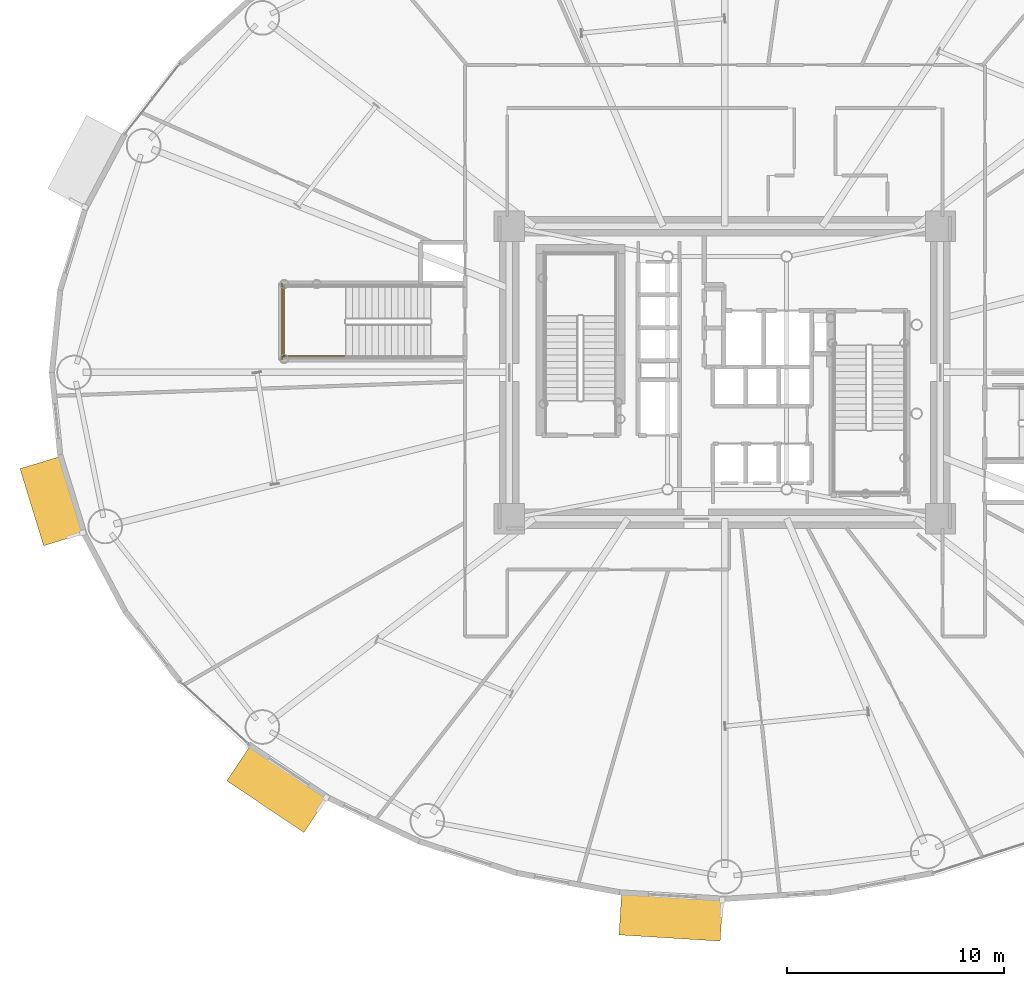
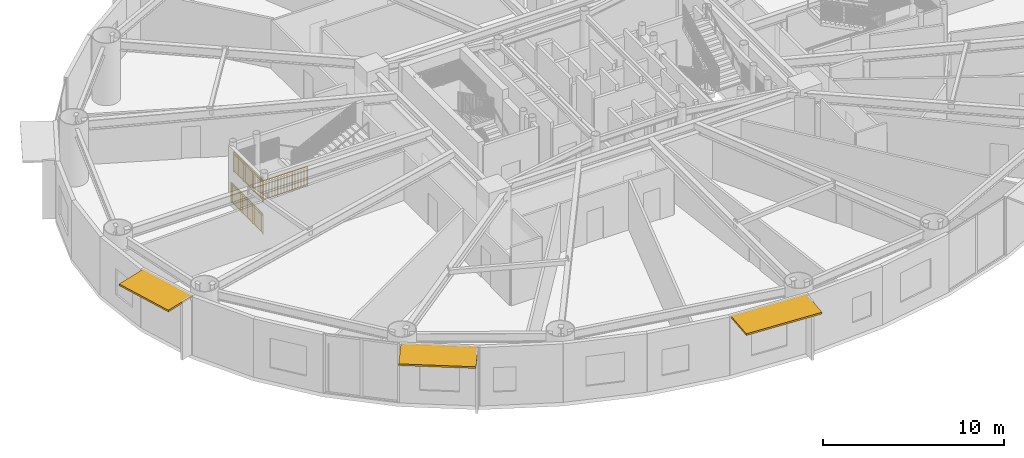
# One storey, part 21 of 32: 3 railings, 3 shading devices.
"""IFC4 building model written with IfcOpenShell, lengths in metres."""

from ifc_helpers import new_model, si_unit, direction, frame, origin, origin_2d, place, context, subcontext, project, spatial, rectangle, extrude, source, transform, mapped, material, layer, layer_set, type_object, element, save


model = new_model("IFC4")

# Units and contexts
model_context = context("Model", 3, precision=1e-05, world=origin(), true_north=direction((0.0, 1.0)))
body_context = subcontext(model_context, "Body", "Model", "MODEL_VIEW")
ifc_project = project(units=[si_unit("LENGTHUNIT", "METRE"), si_unit("AREAUNIT", "SQUARE_METRE"), si_unit("VOLUMEUNIT", "CUBIC_METRE"), si_unit("PLANEANGLEUNIT", "RADIAN"), si_unit("MASSUNIT", "GRAM", prefix="KILO")], contexts=[model_context])

# Site, building, storey
site_placement = place(None, origin())
site = spatial("IfcSite", under=ifc_project, at=site_placement, CompositionType="ELEMENT")
building_placement = place(site_placement, origin())
building = spatial("IfcBuilding", under=site, at=building_placement, Name="Linh Dai School and Residence Tower", CompositionType="ELEMENT")
storey_placement = place(building_placement, frame((0.0, 0.0, 53.39990234375)))
storey = spatial("IfcBuildingStorey", under=building, at=storey_placement, Name="L12", CompositionType="ELEMENT", Elevation=53.39990234375)

# Shading devices
ifc_material_1 = material(Name="Terracotta Ceramic Sunshade", Category="masonry")
ifc_layer = layer(ifc_material_1, 0.1201171875)
ifc_layer_set = layer_set([ifc_layer], Name="Terracotta Ceramic Sunshade")
shading_device_type = type_object("IfcShadingDeviceType", Name="SHD-TC-2000", PredefinedType="USERDEFINED", material=ifc_layer_set)
shared_shape_1 = source(origin(), body_context, "Body", "SweptSolid", [
    extrude(rectangle(XDim=3.7197265625, YDim=2.0, at=origin_2d()), origin(), (0.0, 0.0, 1.0), 0.1201171875),
])
shading_device_1_placement = place(storey_placement, frame((4.956787109375, 21.0693359375, 3.81005859375), z_axis=(0.0, 0.0, 1.0), x_axis=(-0.293145733514, 0.956067769001, 0.0)))
element("IfcShadingDevice", 1, at=shading_device_1_placement, inside=storey, type_object=shading_device_type, Name="L12 Terracotta Horizontal Sunshade Band 22", ObjectType="SUNSHADE", PredefinedType="USERDEFINED", context=body_context, shape_type="MappedRepresentation", body=[
    mapped(shared_shape_1, transform((0.0, 0.0, 0.0), x_axis=(1.0, 0.0, 0.0), y_axis=(0.0, 1.0, 0.0), z_axis=(0.0, 0.0, 1.0), scale=1.0)),
])
shared_shape_2 = source(origin(), body_context, "Body", "SweptSolid", [
    extrude(rectangle(XDim=4.28173828125, YDim=2.0, at=origin_2d()), origin(), (0.0, 0.0, 1.0), 0.1201171875),
])
shading_device_2_placement = place(storey_placement, frame((15.33544921875, 7.7861328125, 3.81005859375), z_axis=(0.0, 0.0, 1.0), x_axis=(-0.831250578927, 0.555897899828, 0.0)))
element("IfcShadingDevice", 2, at=shading_device_2_placement, inside=storey, type_object=shading_device_type, Name="L12 Terracotta Horizontal Sunshade Band 26", ObjectType="SUNSHADE", PredefinedType="USERDEFINED", context=body_context, shape_type="MappedRepresentation", body=[
    mapped(shared_shape_2, transform((0.0, 0.0, 0.0), x_axis=(1.0, 0.0, 0.0), y_axis=(0.0, 1.0, 0.0), z_axis=(0.0, 0.0, 1.0), scale=1.0)),
])
shared_shape_3 = source(origin(), body_context, "Body", "SweptSolid", [
    extrude(rectangle(XDim=4.6796875, YDim=2.0, at=origin_2d()), origin(), (0.0, 0.0, 1.0), 0.1201171875),
])
shading_device_3_placement = place(storey_placement, frame((33.50830078125, 1.88671875, 3.81005859375), z_axis=(0.0, 0.0, 1.0), x_axis=(-0.998106677027, 0.061506595367, 0.0)))
element("IfcShadingDevice", 3, at=shading_device_3_placement, inside=storey, type_object=shading_device_type, Name="L12 Terracotta Horizontal Sunshade Band 30", ObjectType="SUNSHADE", PredefinedType="USERDEFINED", context=body_context, shape_type="MappedRepresentation", body=[
    mapped(shared_shape_3, transform((0.0, 0.0, 0.0), x_axis=(1.0, 0.0, 0.0), y_axis=(0.0, 1.0, 0.0), z_axis=(0.0, 0.0, 1.0), scale=1.0)),
])

# Railings
ifc_material_2 = material(Name="Structural Steel S355JR", Category="steel")
railing_type = type_object("IfcRailingType", Name="RL-ST-GUARD-1400", PredefinedType="GUARDRAIL", material=ifc_material_2)
shared_shape_4 = source(origin(), body_context, "Body", "SweptSolid", [
    extrude(rectangle(XDim=0.048095703125, YDim=0.048095703125, at=origin_2d()), frame((0.0, 0.0, 1.3759765625), z_axis=(0.0, -1.0, 0.0), x_axis=(1.0, 0.0, 0.0)), (0.0, 0.0, 1.0), 3.300048828125),
    extrude(rectangle(XDim=0.048095703125, YDim=0.048095703125, at=origin_2d()), frame((0.0, 0.0, 0.10009765625), z_axis=(0.0, -1.0, 0.0), x_axis=(1.0, 0.0, 0.0)), (0.0, 0.0, 1.0), 3.300048828125),
    extrude(rectangle(XDim=0.030029296875, YDim=0.030029296875, at=origin_2d()), frame((0.0, 0.0, 1.239990234375), z_axis=(0.0, -1.0, 0.0), x_axis=(1.0, 0.0, 0.0)), (0.0, 0.0, 1.0), 3.300048828125),
    extrude(rectangle(XDim=0.02001953125, YDim=0.02001953125, at=origin_2d()), frame((0.0, -0.09716796875, 0.10009765625)), (0.0, 0.0, 1.0), 1.251708984375),
    extrude(rectangle(XDim=0.02001953125, YDim=0.02001953125, at=origin_2d()), frame((0.0, -0.194091796875, 0.10009765625)), (0.0, 0.0, 1.0), 1.251708984375),
    extrude(rectangle(XDim=0.02001953125, YDim=0.02001953125, at=origin_2d()), frame((0.0, -0.291259765625, 0.10009765625)), (0.0, 0.0, 1.0), 1.251708984375),
    extrude(rectangle(XDim=0.02001953125, YDim=0.02001953125, at=origin_2d()), frame((0.0, -0.38818359375, 0.10009765625)), (0.0, 0.0, 1.0), 1.251708984375),
    extrude(rectangle(XDim=0.02001953125, YDim=0.02001953125, at=origin_2d()), frame((0.0, -0.4853515625, 0.10009765625)), (0.0, 0.0, 1.0), 1.251708984375),
    extrude(rectangle(XDim=0.02001953125, YDim=0.02001953125, at=origin_2d()), frame((0.0, -0.582275390625, 0.10009765625)), (0.0, 0.0, 1.0), 1.251708984375),
    extrude(rectangle(XDim=0.02001953125, YDim=0.02001953125, at=origin_2d()), frame((0.0, -0.679443359375, 0.10009765625)), (0.0, 0.0, 1.0), 1.251708984375),
    extrude(rectangle(XDim=0.02001953125, YDim=0.02001953125, at=origin_2d()), frame((0.0, -0.7763671875, 0.10009765625)), (0.0, 0.0, 1.0), 1.251708984375),
    extrude(rectangle(XDim=0.02001953125, YDim=0.02001953125, at=origin_2d()), frame((0.0, -0.87353515625, 0.10009765625)), (0.0, 0.0, 1.0), 1.251708984375),
    extrude(rectangle(XDim=0.02001953125, YDim=0.02001953125, at=origin_2d()), frame((0.0, -0.970703125, 0.10009765625)), (0.0, 0.0, 1.0), 1.251708984375),
    extrude(rectangle(XDim=0.02001953125, YDim=0.02001953125, at=origin_2d()), frame((0.0, -1.164794921875, 0.10009765625)), (0.0, 0.0, 1.0), 1.251708984375),
    extrude(rectangle(XDim=0.02001953125, YDim=0.02001953125, at=origin_2d()), frame((0.0, -1.26171875, 0.10009765625)), (0.0, 0.0, 1.0), 1.251708984375),
    extrude(rectangle(XDim=0.02001953125, YDim=0.02001953125, at=origin_2d()), frame((0.0, -1.35888671875, 0.10009765625)), (0.0, 0.0, 1.0), 1.251708984375),
    extrude(rectangle(XDim=0.02001953125, YDim=0.02001953125, at=origin_2d()), frame((0.0, -1.455810546875, 0.10009765625)), (0.0, 0.0, 1.0), 1.251708984375),
    extrude(rectangle(XDim=0.02001953125, YDim=0.02001953125, at=origin_2d()), frame((0.0, -1.552978515625, 0.10009765625)), (0.0, 0.0, 1.0), 1.251708984375),
    extrude(rectangle(XDim=0.02001953125, YDim=0.02001953125, at=origin_2d()), frame((0.0, -1.64990234375, 0.10009765625)), (0.0, 0.0, 1.0), 1.251708984375),
    extrude(rectangle(XDim=0.02001953125, YDim=0.02001953125, at=origin_2d()), frame((0.0, -1.7470703125, 0.10009765625)), (0.0, 0.0, 1.0), 1.251708984375),
    extrude(rectangle(XDim=0.02001953125, YDim=0.02001953125, at=origin_2d()), frame((0.0, -1.84423828125, 0.10009765625)), (0.0, 0.0, 1.0), 1.251708984375),
    extrude(rectangle(XDim=0.02001953125, YDim=0.02001953125, at=origin_2d()), frame((0.0, -1.941162109375, 0.10009765625)), (0.0, 0.0, 1.0), 1.251708984375),
    extrude(rectangle(XDim=0.02001953125, YDim=0.02001953125, at=origin_2d()), frame((0.0, -2.038330078125, 0.10009765625)), (0.0, 0.0, 1.0), 1.251708984375),
    extrude(rectangle(XDim=0.02001953125, YDim=0.02001953125, at=origin_2d()), frame((0.0, -2.13525390625, 0.10009765625)), (0.0, 0.0, 1.0), 1.251708984375),
    extrude(rectangle(XDim=0.02001953125, YDim=0.02001953125, at=origin_2d()), frame((0.0, -2.329345703125, 0.10009765625)), (0.0, 0.0, 1.0), 1.251708984375),
    extrude(rectangle(XDim=0.02001953125, YDim=0.02001953125, at=origin_2d()), frame((0.0, -2.426513671875, 0.10009765625)), (0.0, 0.0, 1.0), 1.251708984375),
    extrude(rectangle(XDim=0.02001953125, YDim=0.02001953125, at=origin_2d()), frame((0.0, -2.523681640625, 0.10009765625)), (0.0, 0.0, 1.0), 1.251708984375),
    extrude(rectangle(XDim=0.02001953125, YDim=0.02001953125, at=origin_2d()), frame((0.0, -2.62060546875, 0.10009765625)), (0.0, 0.0, 1.0), 1.251708984375),
    extrude(rectangle(XDim=0.02001953125, YDim=0.02001953125, at=origin_2d()), frame((0.0, -2.7177734375, 0.10009765625)), (0.0, 0.0, 1.0), 1.251708984375),
    extrude(rectangle(XDim=0.02001953125, YDim=0.02001953125, at=origin_2d()), frame((0.0, -2.814697265625, 0.10009765625)), (0.0, 0.0, 1.0), 1.251708984375),
    extrude(rectangle(XDim=0.02001953125, YDim=0.02001953125, at=origin_2d()), frame((0.0, -2.911865234375, 0.10009765625)), (0.0, 0.0, 1.0), 1.251708984375),
    extrude(rectangle(XDim=0.02001953125, YDim=0.02001953125, at=origin_2d()), frame((0.0, -3.0087890625, 0.10009765625)), (0.0, 0.0, 1.0), 1.251708984375),
    extrude(rectangle(XDim=0.02001953125, YDim=0.02001953125, at=origin_2d()), frame((0.0, -3.10595703125, 0.10009765625)), (0.0, 0.0, 1.0), 1.251708984375),
    extrude(rectangle(XDim=0.02001953125, YDim=0.02001953125, at=origin_2d()), frame((0.0, -3.202880859375, 0.10009765625)), (0.0, 0.0, 1.0), 1.251708984375),
    extrude(rectangle(XDim=0.0419921875, YDim=0.0419921875, at=origin_2d()), origin(), (0.0, 0.0, 1.0), 1.3759765625),
    extrude(rectangle(XDim=0.0419921875, YDim=0.0419921875, at=origin_2d()), frame((0.0, -1.10009765625, 0.0)), (0.0, 0.0, 1.0), 1.3759765625),
    extrude(rectangle(XDim=0.0419921875, YDim=0.0419921875, at=origin_2d()), frame((0.0, -2.199951171875, 0.0)), (0.0, 0.0, 1.0), 1.3759765625),
    extrude(rectangle(XDim=0.0419921875, YDim=0.0419921875, at=origin_2d()), frame((0.0, -3.300048828125, 0.0)), (0.0, 0.0, 1.0), 1.3759765625),
])
railing_1_placement = place(storey_placement, frame((15.64990234375, 31.0, 2.10009765625)))
element("IfcRailing", 4, at=railing_1_placement, inside=storey, type_object=railing_type, Name="L12 STS1 stair guard 5", PredefinedType="GUARDRAIL", context=body_context, shape_type="MappedRepresentation", body=[
    mapped(shared_shape_4, transform((0.0, 0.0, 0.0), x_axis=(1.0, 0.0, 0.0), y_axis=(0.0, 1.0, 0.0), z_axis=(0.0, 0.0, 1.0), scale=1.0)),
])
shared_shape_5 = source(origin(), body_context, "Body", "SweptSolid", [
    extrude(rectangle(XDim=0.048095703125, YDim=0.048095703125, at=origin_2d()), frame((0.0, 0.0, 1.3759765625), z_axis=(-1.0, 0.0, 0.0), x_axis=(0.0, -1.0, 0.0)), (0.0, 0.0, 1.0), 2.89990234375),
    extrude(rectangle(XDim=0.048095703125, YDim=0.048095703125, at=origin_2d()), frame((0.0, 0.0, 0.10009765625), z_axis=(-1.0, 0.0, 0.0), x_axis=(0.0, -1.0, 0.0)), (0.0, 0.0, 1.0), 2.89990234375),
    extrude(rectangle(XDim=0.030029296875, YDim=0.030029296875, at=origin_2d()), frame((0.0, 0.0, 1.239990234375), z_axis=(-1.0, 0.0, 0.0), x_axis=(0.0, -1.0, 0.0)), (0.0, 0.0, 1.0), 2.89990234375),
    extrude(rectangle(XDim=0.02001953125, YDim=0.02001953125, at=origin_2d()), frame((-0.0966796875, 0.0, 0.10009765625)), (0.0, 0.0, 1.0), 1.251708984375),
    extrude(rectangle(XDim=0.02001953125, YDim=0.02001953125, at=origin_2d()), frame((-0.193359375, 0.0, 0.10009765625)), (0.0, 0.0, 1.0), 1.251708984375),
    extrude(rectangle(XDim=0.02001953125, YDim=0.02001953125, at=origin_2d()), frame((-0.2900390625, 0.0, 0.10009765625)), (0.0, 0.0, 1.0), 1.251708984375),
    extrude(rectangle(XDim=0.02001953125, YDim=0.02001953125, at=origin_2d()), frame((-0.38671875, 0.0, 0.10009765625)), (0.0, 0.0, 1.0), 1.251708984375),
    extrude(rectangle(XDim=0.02001953125, YDim=0.02001953125, at=origin_2d()), frame((-0.4833984375, 0.0, 0.10009765625)), (0.0, 0.0, 1.0), 1.251708984375),
    extrude(rectangle(XDim=0.02001953125, YDim=0.02001953125, at=origin_2d()), frame((-0.580078125, 0.0, 0.10009765625)), (0.0, 0.0, 1.0), 1.251708984375),
    extrude(rectangle(XDim=0.02001953125, YDim=0.02001953125, at=origin_2d()), frame((-0.6767578125, 0.0, 0.10009765625)), (0.0, 0.0, 1.0), 1.251708984375),
    extrude(rectangle(XDim=0.02001953125, YDim=0.02001953125, at=origin_2d()), frame((-0.773193359375, 0.0, 0.10009765625)), (0.0, 0.0, 1.0), 1.251708984375),
    extrude(rectangle(XDim=0.02001953125, YDim=0.02001953125, at=origin_2d()), frame((-0.869873046875, 0.0, 0.10009765625)), (0.0, 0.0, 1.0), 1.251708984375),
    extrude(rectangle(XDim=0.02001953125, YDim=0.02001953125, at=origin_2d()), frame((-1.063232421875, 0.0, 0.10009765625)), (0.0, 0.0, 1.0), 1.251708984375),
    extrude(rectangle(XDim=0.02001953125, YDim=0.02001953125, at=origin_2d()), frame((-1.159912109375, 0.0, 0.10009765625)), (0.0, 0.0, 1.0), 1.251708984375),
    extrude(rectangle(XDim=0.02001953125, YDim=0.02001953125, at=origin_2d()), frame((-1.256591796875, 0.0, 0.10009765625)), (0.0, 0.0, 1.0), 1.251708984375),
    extrude(rectangle(XDim=0.02001953125, YDim=0.02001953125, at=origin_2d()), frame((-1.353271484375, 0.0, 0.10009765625)), (0.0, 0.0, 1.0), 1.251708984375),
    extrude(rectangle(XDim=0.02001953125, YDim=0.02001953125, at=origin_2d()), frame((-1.449951171875, 0.0, 0.10009765625)), (0.0, 0.0, 1.0), 1.251708984375),
    extrude(rectangle(XDim=0.02001953125, YDim=0.02001953125, at=origin_2d()), frame((-1.546630859375, 0.0, 0.10009765625)), (0.0, 0.0, 1.0), 1.251708984375),
    extrude(rectangle(XDim=0.02001953125, YDim=0.02001953125, at=origin_2d()), frame((-1.643310546875, 0.0, 0.10009765625)), (0.0, 0.0, 1.0), 1.251708984375),
    extrude(rectangle(XDim=0.02001953125, YDim=0.02001953125, at=origin_2d()), frame((-1.739990234375, 0.0, 0.10009765625)), (0.0, 0.0, 1.0), 1.251708984375),
    extrude(rectangle(XDim=0.02001953125, YDim=0.02001953125, at=origin_2d()), frame((-1.836669921875, 0.0, 0.10009765625)), (0.0, 0.0, 1.0), 1.251708984375),
    extrude(rectangle(XDim=0.02001953125, YDim=0.02001953125, at=origin_2d()), frame((-2.030029296875, 0.0, 0.10009765625)), (0.0, 0.0, 1.0), 1.251708984375),
    extrude(rectangle(XDim=0.02001953125, YDim=0.02001953125, at=origin_2d()), frame((-2.126708984375, 0.0, 0.10009765625)), (0.0, 0.0, 1.0), 1.251708984375),
    extrude(rectangle(XDim=0.02001953125, YDim=0.02001953125, at=origin_2d()), frame((-2.22314453125, 0.0, 0.10009765625)), (0.0, 0.0, 1.0), 1.251708984375),
    extrude(rectangle(XDim=0.02001953125, YDim=0.02001953125, at=origin_2d()), frame((-2.31982421875, 0.0, 0.10009765625)), (0.0, 0.0, 1.0), 1.251708984375),
    extrude(rectangle(XDim=0.02001953125, YDim=0.02001953125, at=origin_2d()), frame((-2.41650390625, 0.0, 0.10009765625)), (0.0, 0.0, 1.0), 1.251708984375),
    extrude(rectangle(XDim=0.02001953125, YDim=0.02001953125, at=origin_2d()), frame((-2.51318359375, 0.0, 0.10009765625)), (0.0, 0.0, 1.0), 1.251708984375),
    extrude(rectangle(XDim=0.02001953125, YDim=0.02001953125, at=origin_2d()), frame((-2.60986328125, 0.0, 0.10009765625)), (0.0, 0.0, 1.0), 1.251708984375),
    extrude(rectangle(XDim=0.02001953125, YDim=0.02001953125, at=origin_2d()), frame((-2.70654296875, 0.0, 0.10009765625)), (0.0, 0.0, 1.0), 1.251708984375),
    extrude(rectangle(XDim=0.02001953125, YDim=0.02001953125, at=origin_2d()), frame((-2.80322265625, 0.0, 0.10009765625)), (0.0, 0.0, 1.0), 1.251708984375),
    extrude(rectangle(XDim=0.0419921875, YDim=0.0419921875, at=origin_2d()), origin(), (0.0, 0.0, 1.0), 1.3759765625),
    extrude(rectangle(XDim=0.0419921875, YDim=0.0419921875, at=origin_2d()), frame((-0.966552734375, 0.0, 0.0)), (0.0, 0.0, 1.0), 1.3759765625),
    extrude(rectangle(XDim=0.0419921875, YDim=0.0419921875, at=origin_2d()), frame((-1.933349609375, 0.0, 0.0)), (0.0, 0.0, 1.0), 1.3759765625),
    extrude(rectangle(XDim=0.0419921875, YDim=0.0419921875, at=origin_2d()), frame((-2.89990234375, 0.0, 0.0)), (0.0, 0.0, 1.0), 1.3759765625),
])
railing_2_placement = place(storey_placement, frame((18.5, 27.75, 2.10009765625)))
element("IfcRailing", 5, at=railing_2_placement, inside=storey, type_object=railing_type, Name="L12 STS1 stair guard 4", PredefinedType="GUARDRAIL", context=body_context, shape_type="MappedRepresentation", body=[
    mapped(shared_shape_5, transform((0.0, 0.0, 0.0), x_axis=(1.0, 0.0, 0.0), y_axis=(0.0, 1.0, 0.0), z_axis=(0.0, 0.0, 1.0), scale=1.0)),
])
shared_shape_6 = source(origin(), body_context, "Body", "SweptSolid", [
    extrude(rectangle(XDim=0.048095703125, YDim=0.048095703125, at=origin_2d()), frame((0.0, 0.0, 1.3759765625), z_axis=(0.0, -1.0, 0.0), x_axis=(1.0, 0.0, 0.0)), (0.0, 0.0, 1.0), 3.5),
    extrude(rectangle(XDim=0.048095703125, YDim=0.048095703125, at=origin_2d()), frame((0.0, 0.0, 0.10009765625), z_axis=(0.0, -1.0, 0.0), x_axis=(1.0, 0.0, 0.0)), (0.0, 0.0, 1.0), 3.5),
    extrude(rectangle(XDim=0.030029296875, YDim=0.030029296875, at=origin_2d()), frame((0.0, 0.0, 1.239990234375), z_axis=(0.0, -1.0, 0.0), x_axis=(1.0, 0.0, 0.0)), (0.0, 0.0, 1.0), 3.5),
    extrude(rectangle(XDim=0.02001953125, YDim=0.02001953125, at=origin_2d()), frame((0.0, -0.09716796875, 0.10009765625)), (0.0, 0.0, 1.0), 1.251708984375),
    extrude(rectangle(XDim=0.02001953125, YDim=0.02001953125, at=origin_2d()), frame((0.0, -0.1943359375, 0.10009765625)), (0.0, 0.0, 1.0), 1.251708984375),
    extrude(rectangle(XDim=0.02001953125, YDim=0.02001953125, at=origin_2d()), frame((0.0, -0.291748046875, 0.10009765625)), (0.0, 0.0, 1.0), 1.251708984375),
    extrude(rectangle(XDim=0.02001953125, YDim=0.02001953125, at=origin_2d()), frame((0.0, -0.388916015625, 0.10009765625)), (0.0, 0.0, 1.0), 1.251708984375),
    extrude(rectangle(XDim=0.02001953125, YDim=0.02001953125, at=origin_2d()), frame((0.0, -0.486083984375, 0.10009765625)), (0.0, 0.0, 1.0), 1.251708984375),
    extrude(rectangle(XDim=0.02001953125, YDim=0.02001953125, at=origin_2d()), frame((0.0, -0.583251953125, 0.10009765625)), (0.0, 0.0, 1.0), 1.251708984375),
    extrude(rectangle(XDim=0.02001953125, YDim=0.02001953125, at=origin_2d()), frame((0.0, -0.6806640625, 0.10009765625)), (0.0, 0.0, 1.0), 1.251708984375),
    extrude(rectangle(XDim=0.02001953125, YDim=0.02001953125, at=origin_2d()), frame((0.0, -0.77783203125, 0.10009765625)), (0.0, 0.0, 1.0), 1.251708984375),
    extrude(rectangle(XDim=0.02001953125, YDim=0.02001953125, at=origin_2d()), frame((0.0, -0.875, 0.10009765625)), (0.0, 0.0, 1.0), 1.251708984375),
    extrude(rectangle(XDim=0.02001953125, YDim=0.02001953125, at=origin_2d()), frame((0.0, -0.97216796875, 0.10009765625)), (0.0, 0.0, 1.0), 1.251708984375),
    extrude(rectangle(XDim=0.02001953125, YDim=0.02001953125, at=origin_2d()), frame((0.0, -1.0693359375, 0.10009765625)), (0.0, 0.0, 1.0), 1.251708984375),
    extrude(rectangle(XDim=0.02001953125, YDim=0.02001953125, at=origin_2d()), frame((0.0, -1.263916015625, 0.10009765625)), (0.0, 0.0, 1.0), 1.251708984375),
    extrude(rectangle(XDim=0.02001953125, YDim=0.02001953125, at=origin_2d()), frame((0.0, -1.361083984375, 0.10009765625)), (0.0, 0.0, 1.0), 1.251708984375),
    extrude(rectangle(XDim=0.02001953125, YDim=0.02001953125, at=origin_2d()), frame((0.0, -1.458251953125, 0.10009765625)), (0.0, 0.0, 1.0), 1.251708984375),
    extrude(rectangle(XDim=0.02001953125, YDim=0.02001953125, at=origin_2d()), frame((0.0, -1.5556640625, 0.10009765625)), (0.0, 0.0, 1.0), 1.251708984375),
    extrude(rectangle(XDim=0.02001953125, YDim=0.02001953125, at=origin_2d()), frame((0.0, -1.65283203125, 0.10009765625)), (0.0, 0.0, 1.0), 1.251708984375),
    extrude(rectangle(XDim=0.02001953125, YDim=0.02001953125, at=origin_2d()), frame((0.0, -1.75, 0.10009765625)), (0.0, 0.0, 1.0), 1.251708984375),
    extrude(rectangle(XDim=0.02001953125, YDim=0.02001953125, at=origin_2d()), frame((0.0, -1.84716796875, 0.10009765625)), (0.0, 0.0, 1.0), 1.251708984375),
    extrude(rectangle(XDim=0.02001953125, YDim=0.02001953125, at=origin_2d()), frame((0.0, -1.9443359375, 0.10009765625)), (0.0, 0.0, 1.0), 1.251708984375),
    extrude(rectangle(XDim=0.02001953125, YDim=0.02001953125, at=origin_2d()), frame((0.0, -2.041748046875, 0.10009765625)), (0.0, 0.0, 1.0), 1.251708984375),
    extrude(rectangle(XDim=0.02001953125, YDim=0.02001953125, at=origin_2d()), frame((0.0, -2.138916015625, 0.10009765625)), (0.0, 0.0, 1.0), 1.251708984375),
    extrude(rectangle(XDim=0.02001953125, YDim=0.02001953125, at=origin_2d()), frame((0.0, -2.236083984375, 0.10009765625)), (0.0, 0.0, 1.0), 1.251708984375),
    extrude(rectangle(XDim=0.02001953125, YDim=0.02001953125, at=origin_2d()), frame((0.0, -2.4306640625, 0.10009765625)), (0.0, 0.0, 1.0), 1.251708984375),
    extrude(rectangle(XDim=0.02001953125, YDim=0.02001953125, at=origin_2d()), frame((0.0, -2.52783203125, 0.10009765625)), (0.0, 0.0, 1.0), 1.251708984375),
    extrude(rectangle(XDim=0.02001953125, YDim=0.02001953125, at=origin_2d()), frame((0.0, -2.625, 0.10009765625)), (0.0, 0.0, 1.0), 1.251708984375),
    extrude(rectangle(XDim=0.02001953125, YDim=0.02001953125, at=origin_2d()), frame((0.0, -2.72216796875, 0.10009765625)), (0.0, 0.0, 1.0), 1.251708984375),
    extrude(rectangle(XDim=0.02001953125, YDim=0.02001953125, at=origin_2d()), frame((0.0, -2.8193359375, 0.10009765625)), (0.0, 0.0, 1.0), 1.251708984375),
    extrude(rectangle(XDim=0.02001953125, YDim=0.02001953125, at=origin_2d()), frame((0.0, -2.916748046875, 0.10009765625)), (0.0, 0.0, 1.0), 1.251708984375),
    extrude(rectangle(XDim=0.02001953125, YDim=0.02001953125, at=origin_2d()), frame((0.0, -3.013916015625, 0.10009765625)), (0.0, 0.0, 1.0), 1.251708984375),
    extrude(rectangle(XDim=0.02001953125, YDim=0.02001953125, at=origin_2d()), frame((0.0, -3.111083984375, 0.10009765625)), (0.0, 0.0, 1.0), 1.251708984375),
    extrude(rectangle(XDim=0.02001953125, YDim=0.02001953125, at=origin_2d()), frame((0.0, -3.208251953125, 0.10009765625)), (0.0, 0.0, 1.0), 1.251708984375),
    extrude(rectangle(XDim=0.02001953125, YDim=0.02001953125, at=origin_2d()), frame((0.0, -3.3056640625, 0.10009765625)), (0.0, 0.0, 1.0), 1.251708984375),
    extrude(rectangle(XDim=0.02001953125, YDim=0.02001953125, at=origin_2d()), frame((0.0, -3.40283203125, 0.10009765625)), (0.0, 0.0, 1.0), 1.251708984375),
    extrude(rectangle(XDim=0.0419921875, YDim=0.0419921875, at=origin_2d()), origin(), (0.0, 0.0, 1.0), 1.3759765625),
    extrude(rectangle(XDim=0.0419921875, YDim=0.0419921875, at=origin_2d()), frame((0.0, -1.166748046875, 0.0)), (0.0, 0.0, 1.0), 1.3759765625),
    extrude(rectangle(XDim=0.0419921875, YDim=0.0419921875, at=origin_2d()), frame((0.0, -2.333251953125, 0.0)), (0.0, 0.0, 1.0), 1.3759765625),
    extrude(rectangle(XDim=0.0419921875, YDim=0.0419921875, at=origin_2d()), frame((0.0, -3.5, 0.0)), (0.0, 0.0, 1.0), 1.3759765625),
])
railing_3_placement = place(storey_placement, frame((15.550048828125, 31.10009765625, 0.0)))
element("IfcRailing", 6, at=railing_3_placement, inside=storey, type_object=railing_type, Name="L12 STS1 stair guard 12", PredefinedType="GUARDRAIL", context=body_context, shape_type="MappedRepresentation", body=[
    mapped(shared_shape_6, transform((0.0, 0.0, 0.0), x_axis=(1.0, 0.0, 0.0), y_axis=(0.0, 1.0, 0.0), z_axis=(0.0, 0.0, 1.0), scale=1.0)),
])

save(model, "model.ifc")
